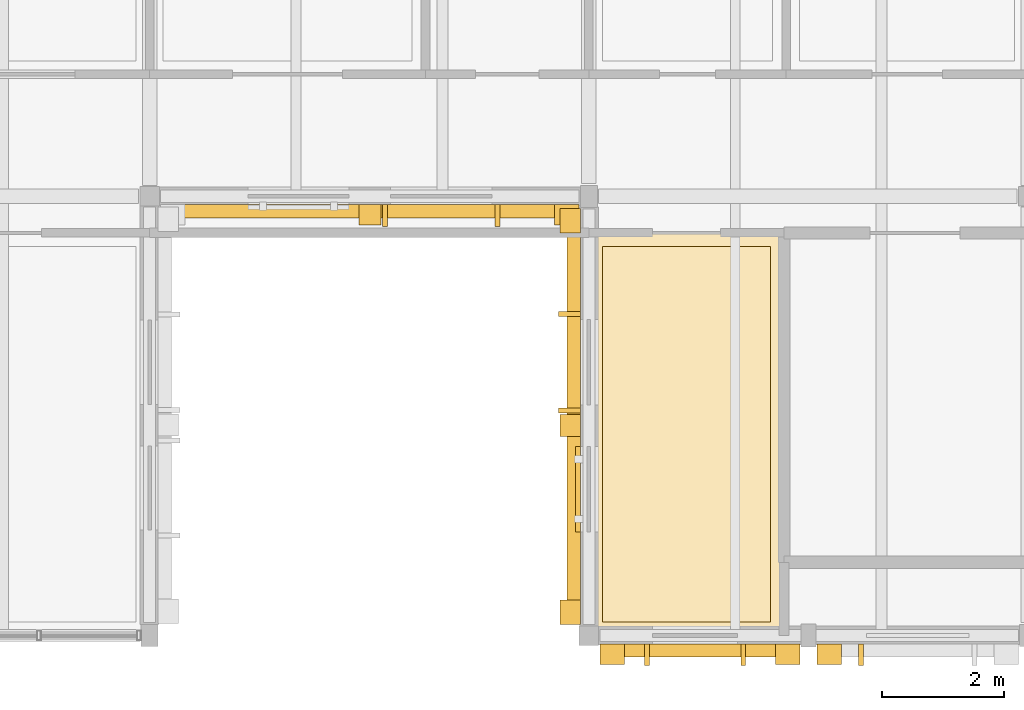
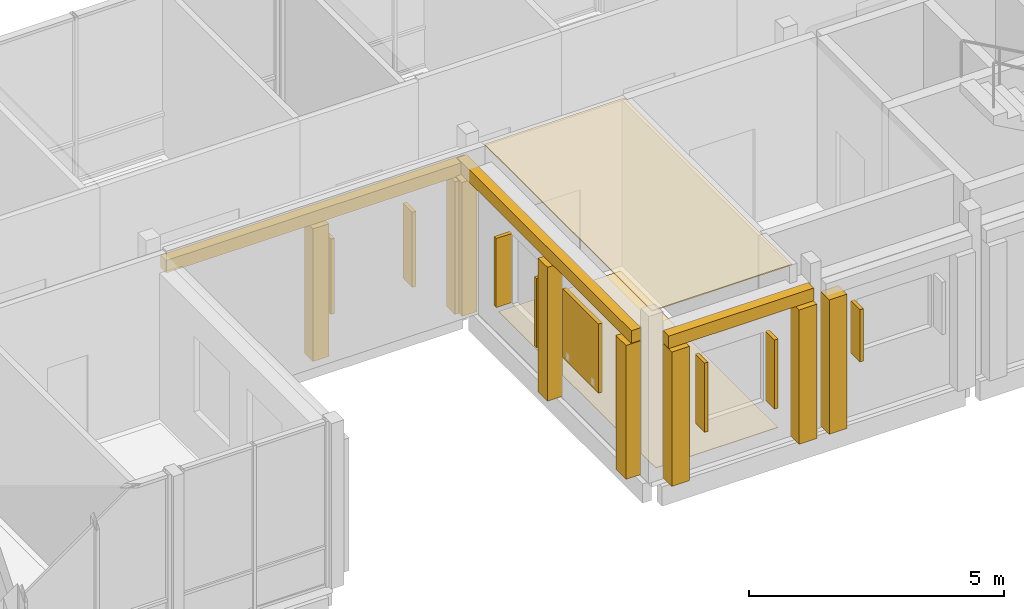
# One storey, part 104 of 115: 13 coverings, 8 shading devices.
"""IFC4 building model written with IfcOpenShell, lengths in metres."""

from ifc_helpers import new_model, si_unit, direction, frame, origin, origin_2d, place, context, subcontext, project, spatial, polyline, rectangle, outline, extrude, material, layer, layer_set, type_object, element, save


model = new_model("IFC4")

# Units and contexts
model_context = context("Model", 3, precision=1e-05, world=origin(), true_north=direction((0.0, 1.0)))
body_context = subcontext(model_context, "Body", "Model", "MODEL_VIEW")
ifc_project = project(units=[si_unit("LENGTHUNIT", "METRE"), si_unit("AREAUNIT", "SQUARE_METRE"), si_unit("VOLUMEUNIT", "CUBIC_METRE"), si_unit("PLANEANGLEUNIT", "RADIAN"), si_unit("MASSUNIT", "GRAM", prefix="KILO")], contexts=[model_context])

# Site, building, storey
site_placement = place(None, origin())
site = spatial("IfcSite", under=ifc_project, at=site_placement, CompositionType="ELEMENT")
building_placement = place(site_placement, origin())
building = spatial("IfcBuilding", under=site, at=building_placement, Name="Hawrajan Terrace Health Centre", CompositionType="ELEMENT")
storey_placement = place(building_placement, frame((0.0, 0.0, 9.0)))
storey = spatial("IfcBuildingStorey", under=building, at=storey_placement, Name="L02", CompositionType="ELEMENT", Elevation=9.0)

# Coverings
ifc_material_1 = material(Name="Precast concrete C40/50", Category="concrete")
ifc_layer_1 = layer(ifc_material_1, 0.219970703125)
ifc_layer_set_1 = layer_set([ifc_layer_1], Name="Precast concrete C40/50")
covering_type_1 = type_object("IfcCoveringType", Name="ArtDecoCorniceBand", PredefinedType="CLADDING", material=ifc_layer_set_1)
covering_1_placement = place(storey_placement, frame((44.2099609375, 11.155029296875, 3.18017578125), z_axis=(0.0, 0.0, 1.0), x_axis=(1.0, 0.0, 0.0)))
element("IfcCovering", 1, at=covering_1_placement, inside=storey, type_object=covering_type_1, Name="Art Deco limestone cornice band CRN-L02-0127", PredefinedType="CLADDING", context=body_context, shape_type="SweptSolid", body=[
    extrude(rectangle(XDim=6.860107421875, YDim=0.219970703125, at=origin_2d()), origin(), (0.0, 0.0, 1.0), 0.300048828125),
])
covering_2_placement = place(storey_placement, frame((49.6201171875, 3.955078125, 3.22021484375), z_axis=(0.0, 0.0, 1.0), x_axis=(1.0, 0.0, 0.0)))
element("IfcCovering", 2, at=covering_2_placement, inside=storey, type_object=covering_type_1, Name="Art Deco limestone cornice band CRN-L02-0129", PredefinedType="CLADDING", context=body_context, shape_type="SweptSolid", body=[
    extrude(rectangle(XDim=3.280029296875, YDim=0.219970703125, at=origin_2d()), origin(), (0.0, 0.0, 1.0), 0.300048828125),
])
covering_3_placement = place(storey_placement, frame((47.554931640625, 7.7900390625, 3.2099609375), z_axis=(0.0, 0.0, 1.0), x_axis=(0.0, 1.0, 0.0)))
element("IfcCovering", 3, at=covering_3_placement, inside=storey, type_object=covering_type_1, Name="Art Deco limestone cornice band CRN-L02-0131", PredefinedType="CLADDING", context=body_context, shape_type="SweptSolid", body=[
    extrude(rectangle(XDim=6.820068359375, YDim=0.219970703125, at=origin_2d()), origin(), (0.0, 0.0, 1.0), 0.300048828125),
])
ifc_layer_2 = layer(ifc_material_1, 0.340087890625)
ifc_layer_set_2 = layer_set([ifc_layer_2], Name="Precast concrete C40/50")
covering_type_2 = type_object("IfcCoveringType", Name="ArtDecoStonePilaster", PredefinedType="CLADDING", material=ifc_layer_set_2)
covering_4_placement = place(storey_placement, frame((47.43994140625, 11.094970703125, 0.0), z_axis=(0.0, 0.0, 1.0), x_axis=(1.0, 0.0, 0.0)))
element("IfcCovering", 4, at=covering_4_placement, inside=storey, type_object=covering_type_2, Name="Art Deco fluted limestone pilaster FPIL-L02-0241", PredefinedType="CLADDING", context=body_context, shape_type="SweptSolid", body=[
    extrude(rectangle(XDim=0.39990234375, YDim=0.340087890625, at=origin_2d()), origin(), (0.0, 0.0, 1.0), 3.169921875),
])
covering_5_placement = place(storey_placement, frame((44.2099609375, 11.094970703125, 0.0), z_axis=(0.0, 0.0, 1.0), x_axis=(1.0, 0.0, 0.0)))
element("IfcCovering", 5, at=covering_5_placement, inside=storey, type_object=covering_type_2, Name="Art Deco mullion pilaster FPIL-L02-0242", PredefinedType="CLADDING", context=body_context, shape_type="SweptSolid", body=[
    extrude(rectangle(XDim=0.360107421875, YDim=0.340087890625, at=origin_2d()), origin(), (0.0, 0.0, 1.0), 3.169921875),
])
for number, where, z_axis, x_axis, name in (
    (6, (48.179931640625, 3.89501953125, 0.0), (0.0, 0.0, 1.0), (1.0, 0.0, 0.0), "Art Deco fluted limestone pilaster FPIL-L02-0245"),
    (7, (51.06005859375, 3.89501953125, 0.0), (0.0, 0.0, 1.0), (1.0, 0.0, 0.0), "Art Deco fluted limestone pilaster FPIL-L02-0246"),
    (8, (51.739990234375, 3.89501953125, 0.0), (0.0, 0.0, 1.0), (1.0, 0.0, 0.0), "Art Deco fluted limestone pilaster FPIL-L02-0247"),
):
    element("IfcCovering", number, at=place(storey_placement, frame(where, z_axis=z_axis, x_axis=x_axis)), inside=storey, type_object=covering_type_2, Name=name, PredefinedType="CLADDING", context=body_context, shape_type="SweptSolid", body=[
        extrude(rectangle(XDim=0.39990234375, YDim=0.340087890625, at=origin_2d()), origin(), (0.0, 0.0, 1.0), 3.2099609375),
    ])
for number, where, z_axis, x_axis, name in (
    (9, (47.4951171875, 4.580078125, 0.0), (0.0, 0.0, 1.0), (0.0, 1.0, 0.0), "Art Deco fluted limestone pilaster FPIL-L02-0249"),
    (10, (47.4951171875, 11.0, 0.0), (0.0, 0.0, 1.0), (0.0, 1.0, 0.0), "Art Deco fluted limestone pilaster FPIL-L02-0250"),
):
    element("IfcCovering", number, at=place(storey_placement, frame(where, z_axis=z_axis, x_axis=x_axis)), inside=storey, type_object=covering_type_2, Name=name, PredefinedType="CLADDING", context=body_context, shape_type="SweptSolid", body=[
        extrude(rectangle(XDim=0.39990234375, YDim=0.340087890625, at=origin_2d()), origin(), (0.0, 0.0, 1.0), 3.199951171875),
    ])
covering_6_placement = place(storey_placement, frame((47.4951171875, 7.639892578125, 0.0), z_axis=(0.0, 0.0, 1.0), x_axis=(0.0, 1.0, 0.0)))
element("IfcCovering", 11, at=covering_6_placement, inside=storey, type_object=covering_type_2, Name="Art Deco mullion pilaster FPIL-L02-0251", PredefinedType="CLADDING", context=body_context, shape_type="SweptSolid", body=[
    extrude(rectangle(XDim=0.360107421875, YDim=0.340087890625, at=origin_2d()), origin(), (0.0, 0.0, 1.0), 3.199951171875),
])
ifc_material_2 = material(Name="Hygienic mineral-fibre acoustic tile ceiling")
ifc_layer_3 = layer(ifc_material_2, 0.02490234375)
ifc_layer_set_3 = layer_set([ifc_layer_3], Name="Hygienic mineral-fibre acoustic tile ceiling")
covering_type_3 = type_object("IfcCoveringType", Name="ClinicalAcousticCeiling_25", PredefinedType="CEILING", material=ifc_layer_set_3)
covering_7_placement = place(storey_placement, frame((0.0, 0.0, 3.93505859375)))
element("IfcCovering", 12, at=covering_7_placement, inside=storey, type_object=covering_type_3, Name="Suspended ceiling L02-082", PredefinedType="CEILING", context=body_context, shape_type="SweptSolid", body=[
    extrude(outline(polyline([(47.820068359375, 10.780029296875), (50.97998046875, 10.780029296875), (50.97998046875, 4.219970703125), (47.820068359375, 4.219970703125), (47.820068359375, 10.780029296875)])), origin(), (0.0, 0.0, 1.0), 0.02490234375),
])
ifc_material_3 = material(Name="Seamless medical-grade cushioned vinyl flooring")
ifc_layer_4 = layer(ifc_material_3, 0.011962890625)
ifc_layer_set_4 = layer_set([ifc_layer_4], Name="Seamless medical-grade cushioned vinyl flooring")
covering_type_4 = type_object("IfcCoveringType", Name="ClinicalVinylFlooring_12", PredefinedType="FLOORING", material=ifc_layer_set_4)
covering_8_placement = place(storey_placement, origin())
element("IfcCovering", 13, at=covering_8_placement, inside=storey, type_object=covering_type_4, Name="Floor finish L02-082", PredefinedType="FLOORING", context=body_context, shape_type="SweptSolid", body=[
    extrude(outline(polyline([(48.02001953125, 10.580078125), (50.780029296875, 10.580078125), (50.780029296875, 4.419921875), (48.02001953125, 4.419921875), (48.02001953125, 10.580078125)])), origin(), (0.0, 0.0, 1.0), 0.011962890625),
])

# Shading devices
ifc_material_4 = material(Name="Anodized bronze mashrabiya vertical solar fin")
ifc_layer_5 = layer(ifc_material_4, 0.080078125)
ifc_layer_set_5 = layer_set([ifc_layer_5], Name="Anodized bronze mashrabiya vertical solar fin")
shading_device_type_1 = type_object("IfcShadingDeviceType", Name="MashrabiyaVerticalFin", PredefinedType="USERDEFINED", material=ifc_layer_set_5)
for number, where, z_axis, x_axis, name in (
    (14, (44.4599609375, 11.0849609375, 1.0), (0.0, 0.0, 1.0), (1.0, 0.0, 0.0), "Bronze mashrabiya solar fin FIN-L02-0170"),
    (15, (46.300048828125, 11.0849609375, 1.0), (0.0, 0.0, 1.0), (1.0, 0.0, 0.0), "Bronze mashrabiya solar fin FIN-L02-0171"),
):
    element("IfcShadingDevice", number, at=place(storey_placement, frame(where, z_axis=z_axis, x_axis=x_axis)), inside=storey, type_object=shading_device_type_1, Name=name, ObjectType="SOLAR_FIN", PredefinedType="USERDEFINED", context=body_context, shape_type="SweptSolid", body=[
        extrude(rectangle(XDim=0.080078125, YDim=0.360107421875, at=origin_2d()), origin(), (0.0, 0.0, 1.0), 1.800048828125),
    ])
for number, where, z_axis, x_axis, name in (
    (16, (48.75, 3.885009765625, 1.050048828125), (0.0, 0.0, 1.0), (1.0, 0.0, 0.0), "Bronze mashrabiya solar fin FIN-L02-0172"),
    (17, (50.330078125, 3.885009765625, 1.050048828125), (0.0, 0.0, 1.0), (1.0, 0.0, 0.0), "Bronze mashrabiya solar fin FIN-L02-0173"),
):
    element("IfcShadingDevice", number, at=place(storey_placement, frame(where, z_axis=z_axis, x_axis=x_axis)), inside=storey, type_object=shading_device_type_1, Name=name, ObjectType="SOLAR_FIN", PredefinedType="USERDEFINED", context=body_context, shape_type="SweptSolid", body=[
        extrude(rectangle(XDim=0.080078125, YDim=0.360107421875, at=origin_2d()), origin(), (0.0, 0.0, 1.0), 1.64990234375),
    ])
shading_device_1_placement = place(storey_placement, frame((52.260009765625, 3.885009765625, 1.5), z_axis=(0.0, 0.0, 1.0), x_axis=(1.0, 0.0, 0.0)))
element("IfcShadingDevice", 18, at=shading_device_1_placement, inside=storey, type_object=shading_device_type_1, Name="Bronze mashrabiya solar fin FIN-L02-0174", ObjectType="SOLAR_FIN", PredefinedType="USERDEFINED", context=body_context, shape_type="SweptSolid", body=[
    extrude(rectangle(XDim=0.080078125, YDim=0.360107421875, at=origin_2d()), origin(), (0.0, 0.0, 1.0), 1.25),
])
for number, where, z_axis, x_axis, name in (
    (19, (47.485107421875, 7.889892578125, 1.050048828125), (0.0, 0.0, 1.0), (0.0, 1.0, 0.0), "Bronze mashrabiya solar fin FIN-L02-0177"),
    (20, (47.485107421875, 9.469970703125, 1.050048828125), (0.0, 0.0, 1.0), (0.0, 1.0, 0.0), "Bronze mashrabiya solar fin FIN-L02-0178"),
):
    element("IfcShadingDevice", number, at=place(storey_placement, frame(where, z_axis=z_axis, x_axis=x_axis)), inside=storey, type_object=shading_device_type_1, Name=name, ObjectType="SOLAR_FIN", PredefinedType="USERDEFINED", context=body_context, shape_type="SweptSolid", body=[
        extrude(rectangle(XDim=0.080078125, YDim=0.360107421875, at=origin_2d()), origin(), (0.0, 0.0, 1.0), 1.64990234375),
    ])
ifc_material_5 = material(Name="Anodized bronze and cedar roshan lattice")
ifc_layer_6 = layer(ifc_material_5, 0.080078125)
ifc_layer_set_6 = layer_set([ifc_layer_6], Name="Anodized bronze and cedar roshan lattice")
shading_device_type_2 = type_object("IfcShadingDeviceType", Name="RoshanScreen_BronzeCedar", PredefinedType="JALOUSIE", material=ifc_layer_set_6)
shading_device_2_placement = place(storey_placement, frame((47.6201171875, 6.60009765625, 1.050048828125), z_axis=(0.0, 0.0, 1.0), x_axis=(0.0, 1.0, 0.0)))
element("IfcShadingDevice", 21, at=shading_device_2_placement, inside=storey, type_object=shading_device_type_2, Name="Hijazi roshan solar screen RSH-L02-176", PredefinedType="JALOUSIE", context=body_context, shape_type="SweptSolid", body=[
    extrude(rectangle(XDim=1.39990234375, YDim=0.080078125, at=origin_2d()), origin(), (0.0, 0.0, 1.0), 1.64990234375),
])

save(model, "model.ifc")
